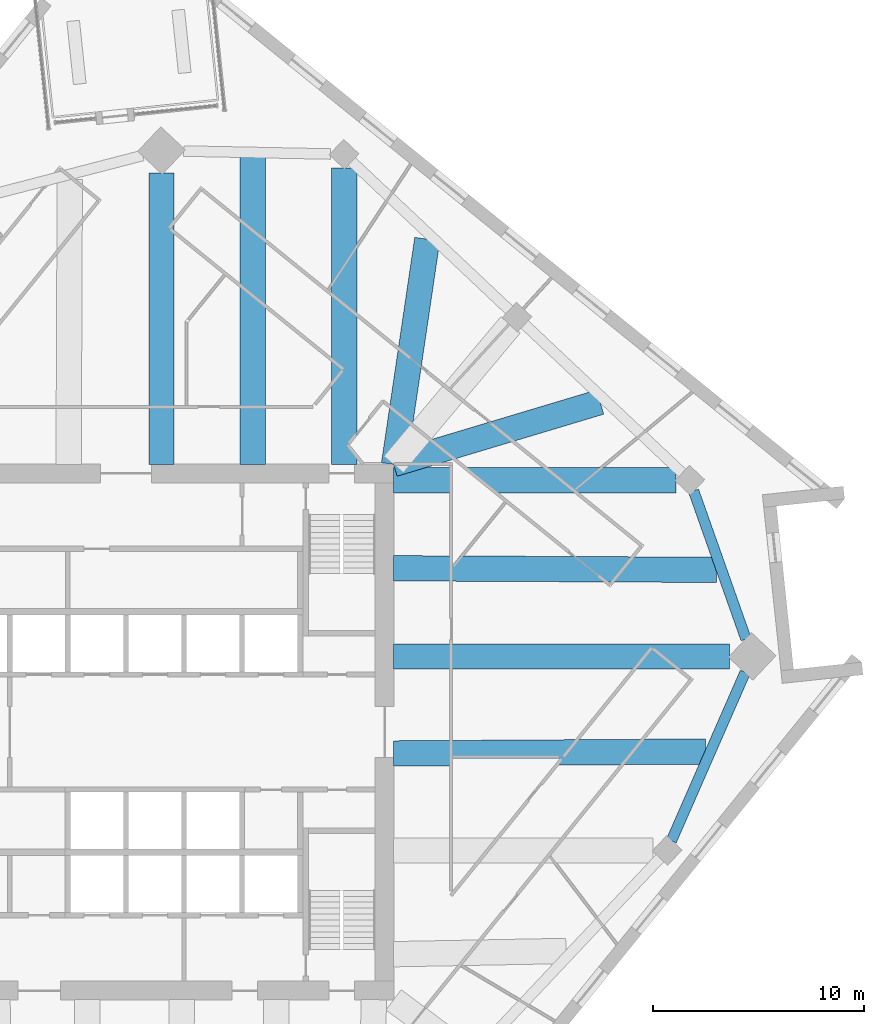
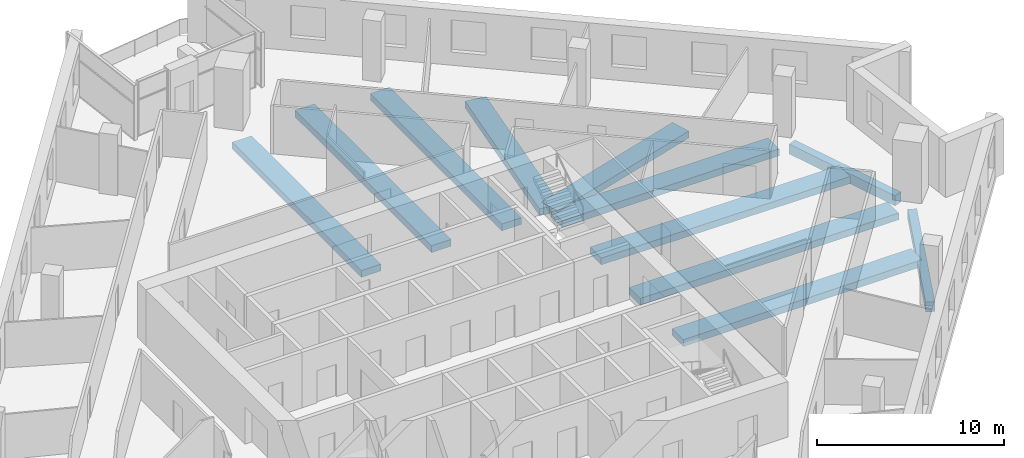
# One storey, part 3 of 14: 11 beams.
"""IFC4 building model written with IfcOpenShell, lengths in metres."""

from ifc_helpers import new_model, si_unit, direction, frame, origin, origin_2d, place, context, subcontext, project, spatial, rectangle, extrude, material, material_profile, profile_set, type_object, element, save


model = new_model("IFC4")

# Units and contexts
model_context = context("Model", 3, precision=1e-05, world=origin(), true_north=direction((0.0, 1.0)))
body_context = subcontext(model_context, "Body", "Model", "MODEL_VIEW")
ifc_project = project(units=[si_unit("LENGTHUNIT", "METRE"), si_unit("AREAUNIT", "SQUARE_METRE"), si_unit("VOLUMEUNIT", "CUBIC_METRE"), si_unit("PLANEANGLEUNIT", "RADIAN"), si_unit("MASSUNIT", "GRAM", prefix="KILO")], contexts=[model_context])

# Site, building, storey
site_placement = place(None, origin())
site = spatial("IfcSite", under=ifc_project, at=site_placement, CompositionType="ELEMENT")
building_placement = place(site_placement, origin())
building = spatial("IfcBuilding", under=site, at=building_placement, Name="Dilmun Exchange Tower", CompositionType="ELEMENT")
storey_placement = place(building_placement, frame((0.0, 0.0, 225.300048828125)))
storey = spatial("IfcBuildingStorey", under=building, at=storey_placement, Name="L53", CompositionType="ELEMENT", Elevation=225.300048828125)

# Beams
ifc_material = material(Name="Concrete C40/50", Category="concrete")
ifc_material_profile_1 = material_profile(ifc_material, rectangle(XDim=1.199951171875, YDim=0.449951171875, at=origin_2d()), Name="1200 x 450")
ifc_profile_set_1 = profile_set([ifc_material_profile_1], Name="Concrete C40/50")
beam_type_1 = type_object("IfcBeamType", Name="RC band beam 1200 x 450 C40/50", PredefinedType="BEAM", material=ifc_profile_set_1)
beam_1_placement = place(storey_placement, frame((1.68505859375, 26.465576171875, -0.705078125), z_axis=(0.0, -1.0, 0.0), x_axis=(1.0, 0.0, 0.0)))
element("IfcBeam", 1, at=beam_1_placement, inside=storey, type_object=beam_type_1, Name="Band beam 1", PredefinedType="BEAM", context=body_context, shape_type="SweptSolid", body=[
    extrude(rectangle(XDim=1.199951171875, YDim=0.449951171875, at=origin_2d()), origin(), (0.0, 0.0, 1.0), 13.79248046875),
])
beam_2_placement = place(storey_placement, frame((28.586669921875, 3.58203125, -0.705078125), z_axis=(-1.0, 0.0, 0.0), x_axis=(0.0, -1.0, 0.0)))
element("IfcBeam", 2, at=beam_2_placement, inside=storey, type_object=beam_type_1, Name="Band beam 13", PredefinedType="BEAM", context=body_context, shape_type="SweptSolid", body=[
    extrude(rectangle(XDim=1.199951171875, YDim=0.449951171875, at=origin_2d()), origin(), (0.0, 0.0, 1.0), 15.91357421875),
])
beam_3_placement = place(storey_placement, frame((26.0458984375, 11.930908203125, -0.705078125), z_axis=(-1.0, 0.0, 0.0), x_axis=(0.0, -1.0, 0.0)))
element("IfcBeam", 3, at=beam_3_placement, inside=storey, type_object=beam_type_1, Name="Band beam 14", PredefinedType="BEAM", context=body_context, shape_type="SweptSolid", body=[
    extrude(rectangle(XDim=1.199951171875, YDim=0.449951171875, at=origin_2d()), origin(), (0.0, 0.0, 1.0), 13.372802734375),
])
beam_4_placement = place(storey_placement, frame((10.3330078125, 26.703857421875, -0.705078125), z_axis=(0.0, -1.0, 0.0), x_axis=(1.0, 0.0, 0.0)))
element("IfcBeam", 4, at=beam_4_placement, inside=storey, type_object=beam_type_1, Name="Band beam 16", PredefinedType="BEAM", context=body_context, shape_type="SweptSolid", body=[
    extrude(rectangle(XDim=1.199951171875, YDim=0.449951171875, at=origin_2d()), origin(), (0.0, 0.0, 1.0), 14.03076171875),
])
beam_5_placement = place(storey_placement, frame((27.441650390625, -0.924072265625, -0.60498046875), z_axis=(-0.999981696912, -0.006050276087, 0.0), x_axis=(0.006050276087, -0.999981696912, 0.0)))
element("IfcBeam", 5, at=beam_5_placement, inside=storey, type_object=beam_type_1, Name="Band beam 28", PredefinedType="BEAM", context=body_context, shape_type="SweptSolid", body=[
    extrude(rectangle(XDim=1.199951171875, YDim=0.449951171875, at=origin_2d()), origin(), (0.0, 0.0, 1.0), 14.768798828125),
])
beam_6_placement = place(storey_placement, frame((27.972412109375, 7.68212890625, -0.60498046875), z_axis=(-0.99998815601, 0.004867015408, 0.0), x_axis=(-0.004867015408, -0.99998815601, 0.0)))
element("IfcBeam", 6, at=beam_6_placement, inside=storey, type_object=beam_type_1, Name="Band beam 29", PredefinedType="BEAM", context=body_context, shape_type="SweptSolid", body=[
    extrude(rectangle(XDim=1.199951171875, YDim=0.449951171875, at=origin_2d()), origin(), (0.0, 0.0, 1.0), 15.299560546875),
])
beam_7_placement = place(storey_placement, frame((22.4599609375, 15.626708984375, -0.60498046875), z_axis=(-0.957849959988, -0.287268957862, 0.0), x_axis=(0.287268957862, -0.957849959988, 0.0)))
element("IfcBeam", 7, at=beam_7_placement, inside=storey, type_object=beam_type_1, Name="Band beam 30", PredefinedType="BEAM", context=body_context, shape_type="SweptSolid", body=[
    extrude(rectangle(XDim=1.199951171875, YDim=0.449951171875, at=origin_2d()), origin(), (0.0, 0.0, 1.0), 10.21630859375),
])
beam_8_placement = place(storey_placement, frame((14.2734375, 23.34326171875, -0.60498046875), z_axis=(-0.146268101323, -0.989244986106, 0.0), x_axis=(0.989244986106, -0.146268101323, 0.0)))
element("IfcBeam", 8, at=beam_8_placement, inside=storey, type_object=beam_type_1, Name="Band beam 31", PredefinedType="BEAM", context=body_context, shape_type="SweptSolid", body=[
    extrude(rectangle(XDim=1.199951171875, YDim=0.449951171875, at=origin_2d()), origin(), (0.0, 0.0, 1.0), 10.785888671875),
])
beam_9_placement = place(storey_placement, frame((6.00439453125, 27.22802734375, -0.60498046875), z_axis=(0.000318701025, -0.999999949215, 0.0), x_axis=(0.999999949215, 0.000318701025, 0.0)))
element("IfcBeam", 9, at=beam_9_placement, inside=storey, type_object=beam_type_1, Name="Band beam 32", PredefinedType="BEAM", context=body_context, shape_type="SweptSolid", body=[
    extrude(rectangle(XDim=1.199951171875, YDim=0.449951171875, at=origin_2d()), origin(), (0.0, 0.0, 1.0), 14.554931640625),
])
ifc_material_profile_2 = material_profile(ifc_material, rectangle(XDim=0.5, YDim=0.64990234375, at=origin_2d()), Name="500 x 650")
ifc_profile_set_2 = profile_set([ifc_material_profile_2], Name="Concrete C40/50")
beam_type_2 = type_object("IfcBeamType", Name="RC ring beam 500 x 650 C40/50", PredefinedType="SPANDREL", material=ifc_profile_set_2)
beam_10_placement = place(storey_placement, frame((25.835205078125, -5.1474609375, -0.705078125), z_axis=(0.401239440722, 0.915973204416, 0.0), x_axis=(-0.915973204416, 0.401239440722, 0.0)))
element("IfcBeam", 10, at=beam_10_placement, inside=storey, type_object=beam_type_2, Name="Ring beam 12", PredefinedType="SPANDREL", context=body_context, shape_type="SweptSolid", body=[
    extrude(rectangle(XDim=0.5, YDim=0.64990234375, at=origin_2d()), origin(), (0.0, 0.0, 1.0), 8.707763671875),
])
beam_11_placement = place(storey_placement, frame((29.367919921875, 4.404541015625, -0.705078125), z_axis=(-0.333423578623, 0.942777130195, 0.0), x_axis=(-0.942777130195, -0.333423578623, 0.0)))
element("IfcBeam", 11, at=beam_11_placement, inside=storey, type_object=beam_type_2, Name="Ring beam 13", PredefinedType="SPANDREL", context=body_context, shape_type="SweptSolid", body=[
    extrude(rectangle(XDim=0.5, YDim=0.64990234375, at=origin_2d()), origin(), (0.0, 0.0, 1.0), 7.4482421875),
])

save(model, "model.ifc")
